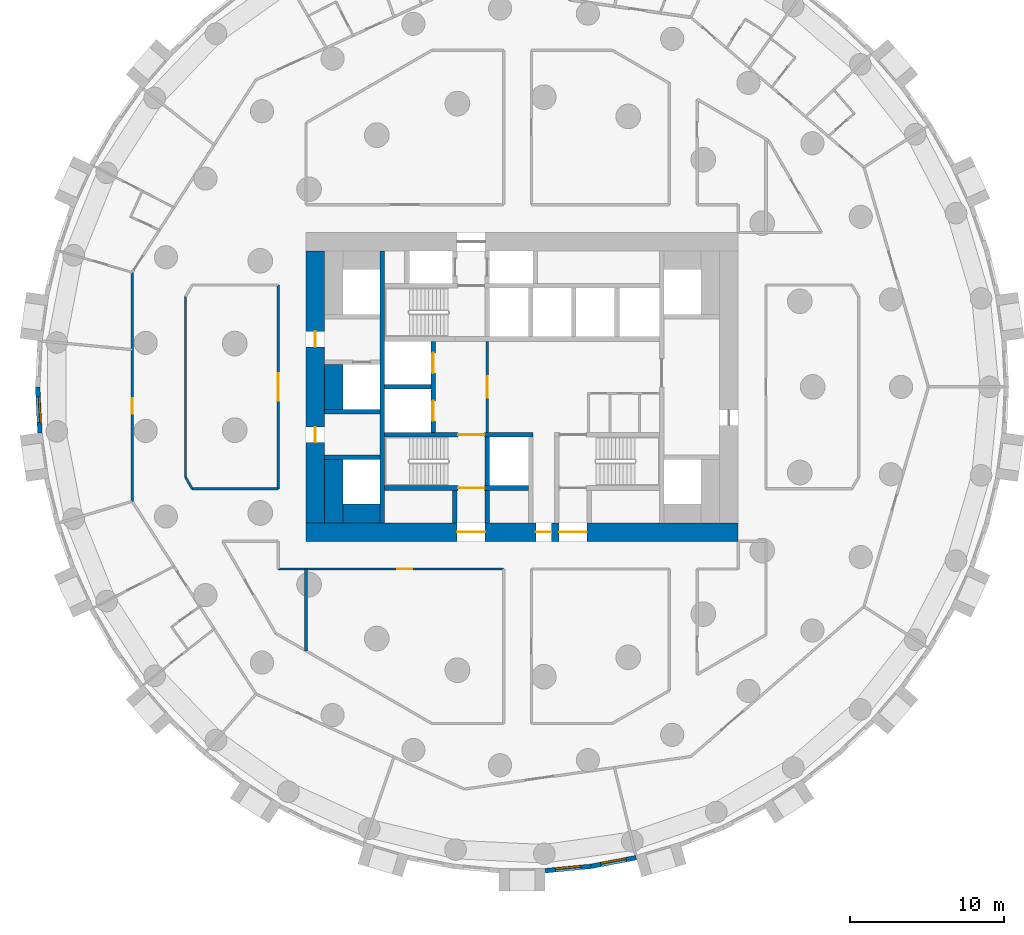
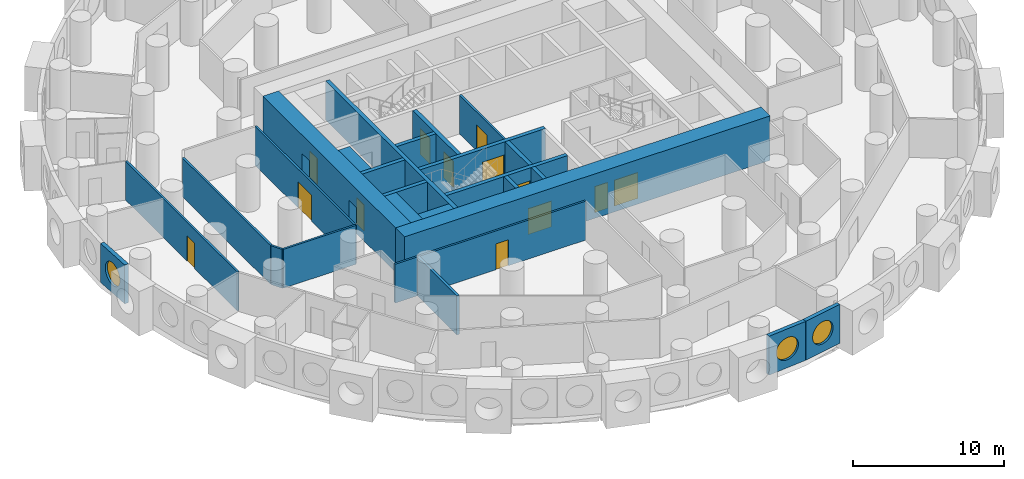
# One storey, part 4 of 12: 26 walls, 13 doors, 3 windows, 16 openings.
"""IFC4 building model written with IfcOpenShell, lengths in metres."""

import ifcopenshell
import ifcopenshell.guid

model = None  # the IFC model being written
_history = None  # IfcOwnerHistory: only IFC2X3 demands one
_inside = {}  # id of a spatial element -> (the spatial element, [elements in it])
_under = {}  # id of a project, library or spatial element -> (it, [spatial elements below it])
_declared = {}  # id of a project -> (the project, [libraries it declares])
_typed = {}  # id of a type object -> (the type object, [elements of that type])
_made_of = {}  # id of a material, layer set ... -> (it, [elements and type objects made of it])


def new_model(schema):
    """Start an empty IFC model of exactly this schema.

    Asked for "IFC4X3", IfcOpenShell would pick the latest addendum, in which some entities
    have other attributes; the version numbers below select the first issue.
    IFC2X3 requires an IfcOwnerHistory on every rooted entity: one is made here for all.
    """
    global model, _history
    if schema == "IFC4X3":
        model = ifcopenshell.file(schema_version=(4, 3, 0, 0))
    else:
        model = ifcopenshell.file(schema=schema)
    _inside.clear()
    _under.clear()
    _declared.clear()
    _typed.clear()
    _made_of.clear()
    _history = None
    if model.schema == "IFC2X3":
        org = make("IfcOrganization", Name="unknown")
        user = make(
            "IfcPersonAndOrganization",
            ThePerson=make("IfcPerson", FamilyName="unknown"),
            TheOrganization=org,
        )
        app = make(
            "IfcApplication",
            ApplicationDeveloper=org,
            Version="unknown",
            ApplicationFullName="unknown",
            ApplicationIdentifier="unknown",
        )
        _history = make(
            "IfcOwnerHistory",
            OwningUser=user,
            OwningApplication=app,
            ChangeAction="ADDED",
            CreationDate=0,
        )
    return model


def make(cls, **values):
    """One entity of the class cls with the attributes given. An attribute that is None is left unset."""
    return model.create_entity(
        cls, **{name: value for name, value in values.items() if value is not None}
    )


def rooted(cls, **values):
    """An entity with a GlobalId (a new one), such as an element, a storey or a relation."""
    return make(cls, GlobalId=ifcopenshell.guid.new(), OwnerHistory=_history, **values)


def si_unit(unit_type, name, prefix=None):
    """IfcSIUnit, for example si_unit("LENGTHUNIT", "METRE", prefix="MILLI")."""
    return make("IfcSIUnit", UnitType=unit_type, Prefix=prefix, Name=name)


def assignment(units):
    """IfcUnitAssignment: the units of a project."""
    return None if units is None else make("IfcUnitAssignment", Units=units)


def point(xyz):
    """IfcCartesianPoint."""
    return None if xyz is None else make("IfcCartesianPoint", Coordinates=xyz)


def direction(xyz):
    """IfcDirection."""
    return None if xyz is None else make("IfcDirection", DirectionRatios=xyz)


def frame(location, z_axis=None, x_axis=None):
    """IfcAxis2Placement3D, a coordinate frame: its origin and axes. An axis left out is left unset."""
    return make(
        "IfcAxis2Placement3D",
        Location=point(location),
        Axis=direction(z_axis),
        RefDirection=direction(x_axis),
    )


def frame_2d(location, x_axis=None):
    """IfcAxis2Placement2D, a coordinate frame in the plane: its origin and x axis."""
    return make(
        "IfcAxis2Placement2D", Location=point(location), RefDirection=direction(x_axis)
    )


def origin():
    """The frame at (0, 0, 0) with its axes left unset."""
    return frame((0.0, 0.0, 0.0))


def origin_2d():
    """The frame at (0, 0) in the plane with its x axis left unset."""
    return frame_2d((0.0, 0.0))


def place(relative_to, where):
    """IfcLocalPlacement: puts the frame where relative to a parent placement (None: the world)."""
    return make(
        "IfcLocalPlacement", PlacementRelTo=relative_to, RelativePlacement=where
    )


def context(
    kind, dimensions, precision=None, world=None, true_north=None, identifier=None
):
    """IfcGeometricRepresentationContext, for example the 3D "Model" context."""
    return make(
        "IfcGeometricRepresentationContext",
        ContextIdentifier=identifier,
        ContextType=kind,
        CoordinateSpaceDimension=dimensions,
        Precision=precision,
        WorldCoordinateSystem=world,
        TrueNorth=true_north,
    )


def subcontext(parent, identifier, kind, view, scale=None):
    """IfcGeometricRepresentationSubContext, for example "Body" below "Model"."""
    return make(
        "IfcGeometricRepresentationSubContext",
        ContextIdentifier=identifier,
        ContextType=kind,
        ParentContext=parent,
        TargetScale=scale,
        TargetView=view,
    )


def project(units=None, contexts=None):
    """IfcProject with its units and contexts."""
    return rooted(
        "IfcProject",
        Name="project",
        RepresentationContexts=contexts,
        UnitsInContext=assignment(units),
    )


def spatial(cls, under=None, at=None, **own):
    """A site, building, storey or space (cls), placed at a placement, below another one or the project."""
    s = rooted(cls, ObjectPlacement=at, **own)
    if under is not None:
        _under.setdefault(under.id(), (under, []))[1].append(s)
    return s


def profile(cls, at=None, kind="AREA", **sizes):
    """A parametric profile (cls). Its sizes go by their IFC names, for example OverallWidth=200.0."""
    return make(cls, ProfileType=kind, Position=at, **sizes)


def rectangle(**sizes):
    """IfcRectangleProfileDef."""
    return profile("IfcRectangleProfileDef", **sizes)


def circle(**sizes):
    """IfcCircleProfileDef."""
    return profile("IfcCircleProfileDef", **sizes)


def extrude(swept, where, along, depth):
    """IfcExtrudedAreaSolid: the profile swept, set in the frame where, extruded along a direction by depth."""
    return make(
        "IfcExtrudedAreaSolid",
        SweptArea=swept,
        Position=where,
        ExtrudedDirection=direction(along),
        Depth=depth,
    )


def shape(context_of_items, identifier, shape_type, items):
    """IfcShapeRepresentation: the items that make up one representation, for example the "Body"."""
    return make(
        "IfcShapeRepresentation",
        ContextOfItems=context_of_items,
        RepresentationIdentifier=identifier,
        RepresentationType=shape_type,
        Items=items,
    )


def material(Name=None, Category=None):
    """IfcMaterial."""
    return make("IfcMaterial", Name=Name, Category=Category)


def layer(
    of_material, thickness, ventilated=None, Name=None, Category=None, Priority=None
):
    """IfcMaterialLayer: one layer of a wall or slab, of a material (None: an air gap)."""
    return make(
        "IfcMaterialLayer",
        Material=of_material,
        LayerThickness=thickness,
        IsVentilated=ventilated,
        Name=Name,
        Category=Category,
        Priority=Priority,
    )


def layer_set(layers, Name=None):
    """IfcMaterialLayerSet."""
    return make("IfcMaterialLayerSet", MaterialLayers=layers, LayerSetName=Name)


def made_of(thing, what):
    """Note that an element or type object is made of a material, layer set ...; save() writes the relation."""
    if what is not None:
        _made_of.setdefault(what.id(), (what, []))[1].append(thing)
    return thing


def type_object(cls, material=None, **own):
    """A type object (cls), such as IfcWallType, which elements share."""
    return made_of(rooted(cls, **own), material)


def element(
    cls,
    number,
    at=None,
    inside=None,
    cuts=None,
    type_object=None,
    material=None,
    context=None,
    identifier="Body",
    shape_type=None,
    held_by="IfcProductDefinitionShape",
    body=None,
    shapes=None,
    **own,
):
    """One element of the class cls, such as IfcWall. Its Tag is "e" and its number.

    at: its placement. inside: the storey or other place that contains it. cuts: it is an
    opening in that element (IfcRelVoidsElement). A single representation is given by context,
    identifier, shape_type and body (its items); several are given by shapes. held_by: the class
    of the entity that holds the representations. save() writes the other relations.
    """
    e = rooted(cls, Tag="e%d" % number, ObjectPlacement=at, **own)
    if body is not None:
        shapes = [shape(context, identifier, shape_type, body)]
    if shapes is not None:
        e.Representation = make(held_by, Representations=shapes)
    if inside is not None:
        _inside.setdefault(inside.id(), (inside, []))[1].append(e)
    if cuts is not None:
        rooted(
            "IfcRelVoidsElement", RelatingBuildingElement=cuts, RelatedOpeningElement=e
        )
    if type_object is not None:
        _typed.setdefault(type_object.id(), (type_object, []))[1].append(e)
    return made_of(e, material)


def fill(opening, filler):
    """IfcRelFillsElement: the door or window that sits in an opening."""
    return rooted(
        "IfcRelFillsElement",
        RelatingOpeningElement=opening,
        RelatedBuildingElement=filler,
    )


def aggregate(whole, parts):
    """IfcRelAggregates: a whole, such as a stair, and the parts it consists of."""
    return rooted("IfcRelAggregates", RelatingObject=whole, RelatedObjects=parts)


def save(model, path):
    """Write the relations noted so far, then the file.

    IfcRelAggregates (storeys below a building ...), IfcRelContainedInSpatialStructure (elements
    in a storey), IfcRelDefinesByType, IfcRelAssociatesMaterial and IfcRelDeclares: one each for
    every whole, place, type object, material and project.
    """
    for whole, parts in _under.values():
        aggregate(whole, parts)
    for where, things in _inside.values():
        rooted(
            "IfcRelContainedInSpatialStructure",
            RelatedElements=things,
            RelatingStructure=where,
        )
    for kind, things in _typed.values():
        rooted("IfcRelDefinesByType", RelatedObjects=things, RelatingType=kind)
    for what, things in _made_of.values():
        rooted("IfcRelAssociatesMaterial", RelatedObjects=things, RelatingMaterial=what)
    for by, libraries in _declared.values():
        rooted("IfcRelDeclares", RelatingContext=by, RelatedDefinitions=libraries)
    model.write(path)


model = new_model("IFC4")

# Units and contexts
model_context = context("Model", 3, precision=1e-05, world=origin(), true_north=direction((0.0, 1.0)))
body_context = subcontext(model_context, "Body", "Model", "MODEL_VIEW")
ifc_project = project(units=[si_unit("LENGTHUNIT", "METRE"), si_unit("AREAUNIT", "SQUARE_METRE"), si_unit("VOLUMEUNIT", "CUBIC_METRE"), si_unit("PLANEANGLEUNIT", "RADIAN"), si_unit("MASSUNIT", "GRAM", prefix="KILO")], contexts=[model_context])

# Site, building, storey
site_placement = place(None, origin())
site = spatial("IfcSite", under=ifc_project, at=site_placement, CompositionType="ELEMENT")
building_placement = place(site_placement, origin())
building = spatial("IfcBuilding", under=site, at=building_placement, Name="Tracery Tower", CompositionType="ELEMENT")
storey_placement = place(building_placement, frame((0.0, 0.0, 49.800048828125)))
storey = spatial("IfcBuildingStorey", under=building, at=storey_placement, Name="L11", CompositionType="ELEMENT", Elevation=49.800048828125)

# Wall, opening, door
ifc_material_1 = material(Name="Plasterboard on steel studs", Category="steel")
ifc_layer_1 = layer(ifc_material_1, 0.14990234375)
ifc_layer_set_1 = layer_set([ifc_layer_1], Name="Core lobby partition 150")
wall_type_1 = type_object("IfcWallType", Name="Core lobby partition 150", PredefinedType="SOLIDWALL", material=ifc_layer_set_1)
wall_1_placement = place(storey_placement, frame((-2.25, -2.949951171875, 0.0), z_axis=(0.0, 0.0, 1.0), x_axis=(0.0, 1.0, 0.0)))
wall_1 = element("IfcWall", 1, at=wall_1_placement, inside=storey, type_object=wall_type_1, Name="L11 FF lobby E", PredefinedType="SOLIDWALL", context=body_context, shape_type="SweptSolid", body=[
    extrude(rectangle(XDim=5.89990234375, YDim=0.14990234375, at=frame_2d((2.949951171875, 0.0))), origin(), (0.0, 0.0, 1.0), 3.14990234375),
])
opening_1_placement = place(wall_1_placement, frame((2.25, 0.0, 0.0)))
opening_1 = element("IfcOpeningElement", 2, at=opening_1_placement, cuts=wall_1, Name="Opening KD8", PredefinedType="OPENING", context=body_context, shape_type="SweptSolid", body=[
    extrude(rectangle(XDim=1.39990234375, YDim=2.10009765625, at=frame_2d((0.699951171875, 1.050048828125))), frame((0.0, 0.074951171875, 0.0), z_axis=(0.0, -1.0, 0.0), x_axis=(1.0, 0.0, 0.0)), (0.0, 0.0, 1.0), 0.14990234375),
])
ifc_material_2 = material(Name="Steel fire door", Category="steel")
door_type_1 = type_object("IfcDoorType", Name="Core lobby door 1400 double", OperationType="NOTDEFINED", PredefinedType="DOOR", material=ifc_material_2)
door_1_placement = place(opening_1_placement, origin())
door_1 = element("IfcDoor", 3, at=door_1_placement, inside=storey, type_object=door_type_1, Name="Fire-fighting lobby door", OperationType="DOUBLE_DOOR_SINGLE_SWING", OverallHeight=2.10009765625, OverallWidth=1.39990234375, PredefinedType="DOOR", context=body_context, shape_type="SweptSolid", body=[
    extrude(rectangle(XDim=1.39990234375, YDim=2.10009765625, at=frame_2d((0.699951171875, 1.050048828125))), frame((0.0, 0.02490234375, 0.0), z_axis=(0.0, -1.0, 0.0), x_axis=(1.0, 0.0, 0.0)), (0.0, 0.0, 1.0), 0.050048828125),
])
fill(opening_1, door_1)

# Walls
ifc_material_3 = material(Name="Concrete C60/75", Category="concrete")
ifc_layer_2 = layer(ifc_material_3, 1.199951171875)
ifc_layer_set_2 = layer_set([ifc_layer_2], Name="Core strip wall 1200 C60")
wall_type_2 = type_object("IfcWallType", Name="Core strip wall 1200 C60", PredefinedType="SOLIDWALL", material=ifc_layer_set_2)
wall_2_placement = place(storey_placement, frame((-12.199951171875, -8.800048828125, 0.0), z_axis=(0.0, 0.0, 1.0), x_axis=(0.0, 1.0, 0.0)))
element("IfcWall", 4, at=wall_2_placement, inside=storey, type_object=wall_type_2, Name="L11 wing strip -1 -9.4", PredefinedType="SOLIDWALL", context=body_context, shape_type="SweptSolid", body=[
    extrude(rectangle(XDim=4.10009765625, YDim=1.199951171875, at=frame_2d((2.050048828125, 0.0))), origin(), (0.0, 0.0, 1.0), 3.14990234375),
])
wall_3_placement = place(storey_placement, frame((-12.199951171875, -1.449951171875, 0.0), z_axis=(0.0, 0.0, 1.0), x_axis=(0.0, 1.0, 0.0)))
element("IfcWall", 5, at=wall_3_placement, inside=storey, type_object=wall_type_2, Name="L11 wing strip -1 -1.6", PredefinedType="SOLIDWALL", context=body_context, shape_type="SweptSolid", body=[
    extrude(rectangle(XDim=2.89990234375, YDim=1.199951171875, at=frame_2d((1.449951171875, 0.0))), origin(), (0.0, 0.0, 1.0), 3.14990234375),
])
wall_4_placement = place(storey_placement, frame((-11.60009765625, -8.199951171875, 0.0), z_axis=(0.0, 0.0, 1.0), x_axis=(1.0, 0.0, 0.0)))
element("IfcWall", 6, at=wall_4_placement, inside=storey, type_object=wall_type_2, Name="L11 wing corner -1 -8.2", PredefinedType="SOLIDWALL", context=body_context, shape_type="SweptSolid", body=[
    extrude(rectangle(XDim=2.400146484375, YDim=1.199951171875, at=frame_2d((1.2001953125, 0.0))), origin(), (0.0, 0.0, 1.0), 3.14990234375),
])

# Wall, openings, doors
ifc_material_4 = material(Name="Concrete C60/75", Category="concrete")
ifc_layer_3 = layer(ifc_material_4, 1.199951171875)
ifc_layer_set_3 = layer_set([ifc_layer_3], Name="Core wall 1200 C60")
wall_type_3 = type_object("IfcWallType", Name="Core wall 1200 C60", PredefinedType="SOLIDWALL", material=ifc_layer_set_3)
wall_5_placement = place(storey_placement, frame((-14.0, -9.39990234375, 0.0), z_axis=(0.0, 0.0, 1.0), x_axis=(1.0, 0.0, 0.0)))
wall_5 = element("IfcWall", 7, at=wall_5_placement, inside=storey, type_object=wall_type_3, Name="L11 outer S", PredefinedType="SOLIDWALL", context=body_context, shape_type="SweptSolid", body=[
    extrude(rectangle(XDim=28.0, YDim=1.199951171875, at=frame_2d((14.0, 0.0))), origin(), (0.0, 0.0, 1.0), 3.599853515625),
])
opening_2_placement = place(wall_5_placement, frame((14.89990234375, 0.0, 0.0)))
opening_2 = element("IfcOpeningElement", 8, at=opening_2_placement, cuts=wall_5, Name="Opening KD16", PredefinedType="OPENING", context=body_context, shape_type="SweptSolid", body=[
    extrude(rectangle(XDim=1.0, YDim=2.10009765625, at=frame_2d((0.5, 1.050048828125))), frame((0.0, 0.60009765625, 0.0), z_axis=(0.0, -1.0, 0.0), x_axis=(1.0, 0.0, 0.0)), (0.0, 0.0, 1.0), 1.199951171875),
])
opening_3_placement = place(wall_5_placement, frame((9.800048828125, 0.0, 0.0)))
opening_3 = element("IfcOpeningElement", 9, at=opening_3_placement, cuts=wall_5, Name="Opening KD13", PredefinedType="OPENING", context=body_context, shape_type="SweptSolid", body=[
    extrude(rectangle(XDim=1.800048828125, YDim=2.10009765625, at=frame_2d((0.89990234375, 1.050048828125))), frame((0.0, 0.60009765625, 0.0), z_axis=(0.0, -1.0, 0.0), x_axis=(1.0, 0.0, 0.0)), (0.0, 0.0, 1.0), 1.199951171875),
])
opening_4_placement = place(wall_5_placement, frame((16.39990234375, 0.0, 0.0)))
opening_4 = element("IfcOpeningElement", 10, at=opening_4_placement, cuts=wall_5, Name="Opening KD13", PredefinedType="OPENING", context=body_context, shape_type="SweptSolid", body=[
    extrude(rectangle(XDim=1.800048828125, YDim=2.10009765625, at=frame_2d((0.89990234375, 1.050048828125))), frame((0.0, 0.60009765625, 0.0), z_axis=(0.0, -1.0, 0.0), x_axis=(1.0, 0.0, 0.0)), (0.0, 0.0, 1.0), 1.199951171875),
])
ifc_material_5 = material(Name="Steel fire door", Category="steel")
door_type_2 = type_object("IfcDoorType", Name="Core exit door 1000", OperationType="NOTDEFINED", PredefinedType="DOOR", material=ifc_material_5)
door_2_placement = place(opening_2_placement, origin())
door_2 = element("IfcDoor", 11, at=door_2_placement, inside=storey, type_object=door_type_2, Name="Core exit door", OperationType="SINGLE_SWING_LEFT", OverallHeight=2.10009765625, OverallWidth=1.0, PredefinedType="DOOR", context=body_context, shape_type="SweptSolid", body=[
    extrude(rectangle(XDim=1.0, YDim=2.10009765625, at=frame_2d((0.5, 1.050048828125))), frame((0.0, 0.02490234375, 0.0), z_axis=(0.0, -1.0, 0.0), x_axis=(1.0, 0.0, 0.0)), (0.0, 0.0, 1.0), 0.050048828125),
])
fill(opening_2, door_2)
ifc_material_6 = material(Name="Steel fire door", Category="steel")
door_type_3 = type_object("IfcDoorType", Name="Core exit door 1800 double", OperationType="NOTDEFINED", PredefinedType="DOOR", material=ifc_material_6)
door_3_placement = place(opening_3_placement, origin())
door_3 = element("IfcDoor", 12, at=door_3_placement, inside=storey, type_object=door_type_3, Name="Core exit door", OperationType="DOUBLE_DOOR_SINGLE_SWING", OverallHeight=2.10009765625, OverallWidth=1.800048828125, PredefinedType="DOOR", context=body_context, shape_type="SweptSolid", body=[
    extrude(rectangle(XDim=1.800048828125, YDim=2.10009765625, at=frame_2d((0.89990234375, 1.050048828125))), frame((0.0, 0.02490234375, 0.0), z_axis=(0.0, -1.0, 0.0), x_axis=(1.0, 0.0, 0.0)), (0.0, 0.0, 1.0), 0.050048828125),
])
fill(opening_3, door_3)
door_4_placement = place(opening_4_placement, origin())
door_4 = element("IfcDoor", 13, at=door_4_placement, inside=storey, type_object=door_type_3, Name="Core exit door", OperationType="DOUBLE_DOOR_SINGLE_SWING", OverallHeight=2.10009765625, OverallWidth=1.800048828125, PredefinedType="DOOR", context=body_context, shape_type="SweptSolid", body=[
    extrude(rectangle(XDim=1.800048828125, YDim=2.10009765625, at=frame_2d((0.89990234375, 1.050048828125))), frame((0.0, 0.02490234375, 0.0), z_axis=(0.0, -1.0, 0.0), x_axis=(1.0, 0.0, 0.0)), (0.0, 0.0, 1.0), 0.050048828125),
])
fill(opening_4, door_4)

wall_6_placement = place(storey_placement, frame((-13.39990234375, -8.800048828125, 0.0), z_axis=(0.0, 0.0, 1.0), x_axis=(0.0, 1.0, 0.0)))
wall_6 = element("IfcWall", 14, at=wall_6_placement, inside=storey, type_object=wall_type_3, Name="L11 outer W", PredefinedType="SOLIDWALL", context=body_context, shape_type="SweptSolid", body=[
    extrude(rectangle(XDim=17.60009765625, YDim=1.199951171875, at=frame_2d((8.800048828125, 0.0))), origin(), (0.0, 0.0, 1.0), 3.599853515625),
])
opening_5_placement = place(wall_6_placement, frame((5.199951171875, 0.0, 0.0)))
opening_5 = element("IfcOpeningElement", 15, at=opening_5_placement, cuts=wall_6, Name="Opening KD18", PredefinedType="OPENING", context=body_context, shape_type="SweptSolid", body=[
    extrude(rectangle(XDim=1.0, YDim=2.10009765625, at=frame_2d((0.5, 1.050048828125))), frame((0.0, 0.60009765625, 0.0), z_axis=(0.0, -1.0, 0.0), x_axis=(1.0, 0.0, 0.0)), (0.0, 0.0, 1.0), 1.199951171875),
])
opening_6_placement = place(wall_6_placement, frame((11.39990234375, 0.0, 0.0)))
opening_6 = element("IfcOpeningElement", 16, at=opening_6_placement, cuts=wall_6, Name="Opening KD18", PredefinedType="OPENING", context=body_context, shape_type="SweptSolid", body=[
    extrude(rectangle(XDim=1.0, YDim=2.10009765625, at=frame_2d((0.5, 1.050048828125))), frame((0.0, 0.60009765625, 0.0), z_axis=(0.0, -1.0, 0.0), x_axis=(1.0, 0.0, 0.0)), (0.0, 0.0, 1.0), 1.199951171875),
])
door_5_placement = place(opening_5_placement, origin())
door_5 = element("IfcDoor", 17, at=door_5_placement, inside=storey, type_object=door_type_2, Name="Core exit door", OperationType="DOUBLE_DOOR_SINGLE_SWING", OverallHeight=2.10009765625, OverallWidth=1.0, PredefinedType="DOOR", context=body_context, shape_type="SweptSolid", body=[
    extrude(rectangle(XDim=1.0, YDim=2.10009765625, at=frame_2d((0.5, 1.050048828125))), frame((0.0, 0.02490234375, 0.0), z_axis=(0.0, -1.0, 0.0), x_axis=(1.0, 0.0, 0.0)), (0.0, 0.0, 1.0), 0.050048828125),
])
fill(opening_5, door_5)
door_6_placement = place(opening_6_placement, origin())
door_6 = element("IfcDoor", 18, at=door_6_placement, inside=storey, type_object=door_type_2, Name="Core exit door", OperationType="DOUBLE_DOOR_SINGLE_SWING", OverallHeight=2.10009765625, OverallWidth=1.0, PredefinedType="DOOR", context=body_context, shape_type="SweptSolid", body=[
    extrude(rectangle(XDim=1.0, YDim=2.10009765625, at=frame_2d((0.5, 1.050048828125))), frame((0.0, 0.02490234375, 0.0), z_axis=(0.0, -1.0, 0.0), x_axis=(1.0, 0.0, 0.0)), (0.0, 0.0, 1.0), 0.050048828125),
])
fill(opening_6, door_6)

# Wall, opening, window
ifc_material_7 = material(Name="Precast concrete C50/60", Category="concrete")
ifc_layer_4 = layer(ifc_material_7, 0.300048828125)
ifc_layer_set_4 = layer_set([ifc_layer_4], Name="Facade panel 3000 x 3150")
wall_type_4 = type_object("IfcWallType", Name="Facade panel 3000 x 3150", PredefinedType="SOLIDWALL", material=ifc_layer_set_4)
wall_7_placement = place(storey_placement, frame((-31.37451171875, 0.0, 0.0), z_axis=(0.0, 0.0, 1.0), x_axis=(0.047604077644, -0.998866283239, 0.0)))
wall_7 = element("IfcWall", 19, at=wall_7_placement, inside=storey, type_object=wall_type_4, Name="Facade panel 34 at L11", PredefinedType="SOLIDWALL", context=body_context, shape_type="SweptSolid", body=[
    extrude(rectangle(XDim=2.979736328125, YDim=0.300048828125, at=frame_2d((1.48974609375, 0.0))), origin(), (0.0, 0.0, 1.0), 3.14990234375),
])
opening_7_placement = place(wall_7_placement, frame((1.48974609375, 0.0, 1.5498046875)))
opening_7 = element("IfcOpeningElement", 20, at=opening_7_placement, cuts=wall_7, Name="Opening WN1", PredefinedType="OPENING", context=body_context, shape_type="SweptSolid", body=[
    extrude(circle(Radius=0.9000244140625, at=origin_2d()), frame((0.0, 0.159912109375, 0.0), z_axis=(0.0, -1.0, 0.0), x_axis=(1.0, 0.0, 0.0)), (0.0, 0.0, 1.0), 0.320068359375),
])
ifc_material_8 = material(Name="Aluminium frame with tinted double glazing", Category="aluminium")
window_type = type_object("IfcWindowType", Name="Round window 1800", PartitioningType="SINGLE_PANEL", PredefinedType="WINDOW", material=ifc_material_8)
window_1_placement = place(opening_7_placement, origin())
window_1 = element("IfcWindow", 21, at=window_1_placement, inside=storey, type_object=window_type, Name="Round window 34 at L11", OverallHeight=1.800048828125, OverallWidth=1.800048828125, PartitioningType="SINGLE_PANEL", PredefinedType="WINDOW", context=body_context, shape_type="SweptSolid", body=[
    extrude(circle(Radius=0.9000244140625, at=origin_2d()), frame((0.0, 0.1201171875, 0.0), z_axis=(0.0, -1.0, 0.0), x_axis=(1.0, 0.0, 0.0)), (0.0, 0.0, 1.0), 0.10009765625),
])
fill(opening_7, window_1)

wall_8_placement = place(storey_placement, frame((1.498779296875, -31.33837890625, 0.0), z_axis=(0.0, 0.0, 1.0), x_axis=(0.995473351551, 0.095041077185, 0.0)))
wall_8 = element("IfcWall", 22, at=wall_8_placement, inside=storey, type_object=wall_type_4, Name="Facade panel 51 at L11", PredefinedType="SOLIDWALL", context=body_context, shape_type="SweptSolid", body=[
    extrude(rectangle(XDim=2.979736328125, YDim=0.300048828125, at=frame_2d((1.48974609375, 0.0))), origin(), (0.0, 0.0, 1.0), 3.14990234375),
])
opening_8_placement = place(wall_8_placement, frame((1.48974609375, 0.0, 1.5498046875)))
opening_8 = element("IfcOpeningElement", 23, at=opening_8_placement, cuts=wall_8, Name="Opening WN1", PredefinedType="OPENING", context=body_context, shape_type="SweptSolid", body=[
    extrude(circle(Radius=0.9000244140625, at=origin_2d()), frame((0.0, 0.159912109375, 0.0), z_axis=(0.0, -1.0, 0.0), x_axis=(1.0, 0.0, 0.0)), (0.0, 0.0, 1.0), 0.320068359375),
])
window_2_placement = place(opening_8_placement, origin())
window_2 = element("IfcWindow", 24, at=window_2_placement, inside=storey, type_object=window_type, Name="Round window 51 at L11", OverallHeight=1.800048828125, OverallWidth=1.800048828125, PartitioningType="SINGLE_PANEL", PredefinedType="WINDOW", context=body_context, shape_type="SweptSolid", body=[
    extrude(circle(Radius=0.9000244140625, at=origin_2d()), frame((0.0, 0.1201171875, 0.0), z_axis=(0.0, -1.0, 0.0), x_axis=(1.0, 0.0, 0.0)), (0.0, 0.0, 1.0), 0.10009765625),
])
fill(opening_8, window_2)

wall_9_placement = place(storey_placement, frame((4.465087890625, -31.05517578125, 0.0), z_axis=(0.0, 0.0, 1.0), x_axis=(0.981924535406, 0.189272836848, 0.0)))
wall_9 = element("IfcWall", 25, at=wall_9_placement, inside=storey, type_object=wall_type_4, Name="Facade panel 52 at L11", PredefinedType="SOLIDWALL", context=body_context, shape_type="SweptSolid", body=[
    extrude(rectangle(XDim=2.979736328125, YDim=0.300048828125, at=frame_2d((1.48974609375, 0.0))), origin(), (0.0, 0.0, 1.0), 3.14990234375),
])
opening_9_placement = place(wall_9_placement, frame((1.48974609375, 0.0, 1.5498046875)))
opening_9 = element("IfcOpeningElement", 26, at=opening_9_placement, cuts=wall_9, Name="Opening WN1", PredefinedType="OPENING", context=body_context, shape_type="SweptSolid", body=[
    extrude(circle(Radius=0.9000244140625, at=origin_2d()), frame((0.0, 0.159912109375, 0.0), z_axis=(0.0, -1.0, 0.0), x_axis=(1.0, 0.0, 0.0)), (0.0, 0.0, 1.0), 0.320068359375),
])
window_3_placement = place(opening_9_placement, origin())
window_3 = element("IfcWindow", 27, at=window_3_placement, inside=storey, type_object=window_type, Name="Round window 52 at L11", OverallHeight=1.800048828125, OverallWidth=1.800048828125, PartitioningType="SINGLE_PANEL", PredefinedType="WINDOW", context=body_context, shape_type="SweptSolid", body=[
    extrude(circle(Radius=0.9000244140625, at=origin_2d()), frame((0.0, 0.1201171875, 0.0), z_axis=(0.0, -1.0, 0.0), x_axis=(1.0, 0.0, 0.0)), (0.0, 0.0, 1.0), 0.10009765625),
])
fill(opening_9, window_3)

# Wall, opening, door
ifc_material_9 = material(Name="Plasterboard on steel studs", Category="steel")
ifc_layer_5 = layer(ifc_material_9, 0.14990234375)
ifc_layer_set_5 = layer_set([ifc_layer_5], Name="Partition 150 corridor wall")
wall_type_5 = type_object("IfcWallType", Name="Partition 150 corridor wall", PredefinedType="PARTITIONING", material=ifc_layer_set_5)
wall_10_placement = place(storey_placement, frame((-15.800048828125, -11.800048828125, 0.0), z_axis=(0.0, 0.0, 1.0), x_axis=(1.0, 0.0, 0.0)))
wall_10 = element("IfcWall", 28, at=wall_10_placement, inside=storey, type_object=wall_type_5, Name="Corridor wall RA3-005", PredefinedType="PARTITIONING", context=body_context, shape_type="SweptSolid", body=[
    extrude(rectangle(XDim=14.612060546875, YDim=0.14990234375, at=frame_2d((7.30615234375, 0.0))), origin(), (0.0, 0.0, 1.0), 3.14990234375),
])
opening_10_placement = place(wall_10_placement, frame((7.72900390625, 0.0, 0.0)))
opening_10 = element("IfcOpeningElement", 29, at=opening_10_placement, cuts=wall_10, Name="Opening RA3-04", PredefinedType="OPENING", context=body_context, shape_type="SweptSolid", body=[
    extrude(rectangle(XDim=0.949951171875, YDim=2.10009765625, at=frame_2d((0.47509765625, 1.050048828125))), frame((0.0, 0.074951171875, 0.0), z_axis=(0.0, -1.0, 0.0), x_axis=(1.0, 0.0, 0.0)), (0.0, 0.0, 1.0), 0.14990234375),
])
ifc_material_10 = material(Name="Timber door leaf", Category="wood")
door_type_4 = type_object("IfcDoorType", Name="Door store 950", OperationType="NOTDEFINED", PredefinedType="DOOR", material=ifc_material_10)
door_7_placement = place(opening_10_placement, origin())
door_7 = element("IfcDoor", 30, at=door_7_placement, inside=storey, type_object=door_type_4, Name="Store door RA3-04", OperationType="SINGLE_SWING_RIGHT", OverallHeight=2.10009765625, OverallWidth=0.949951171875, PredefinedType="DOOR", context=body_context, shape_type="SweptSolid", body=[
    extrude(rectangle(XDim=0.949951171875, YDim=2.10009765625, at=frame_2d((0.47509765625, 1.050048828125))), frame((0.0, 0.02490234375, 0.0), z_axis=(0.0, -1.0, 0.0), x_axis=(1.0, 0.0, 0.0)), (0.0, 0.0, 1.0), 0.050048828125),
])
fill(opening_10, door_7)

wall_11_placement = place(storey_placement, frame((-15.800048828125, -6.60400390625, 0.0), z_axis=(0.0, 0.0, 1.0), x_axis=(0.0, 1.0, 0.0)))
wall_11 = element("IfcWall", 31, at=wall_11_placement, inside=storey, type_object=wall_type_5, Name="Corridor wall RA3-013", PredefinedType="PARTITIONING", context=body_context, shape_type="SweptSolid", body=[
    extrude(rectangle(XDim=13.2080078125, YDim=0.14990234375, at=frame_2d((6.60400390625, 0.0))), origin(), (0.0, 0.0, 1.0), 3.14990234375),
])
opening_11_placement = place(wall_11_placement, frame((5.7041015625, 0.0, 0.0)))
opening_11 = element("IfcOpeningElement", 32, at=opening_11_placement, cuts=wall_11, Name="Opening RA3-08", PredefinedType="OPENING", context=body_context, shape_type="SweptSolid", body=[
    extrude(rectangle(XDim=1.800048828125, YDim=2.10009765625, at=frame_2d((0.89990234375, 1.050048828125))), frame((0.0, 0.074951171875, 0.0), z_axis=(0.0, -1.0, 0.0), x_axis=(1.0, 0.0, 0.0)), (0.0, 0.0, 1.0), 0.14990234375),
])
ifc_material_11 = material(Name="Timber door leaf", Category="wood")
door_type_5 = type_object("IfcDoorType", Name="Door double lounge 1800", OperationType="NOTDEFINED", PredefinedType="DOOR", material=ifc_material_11)
door_8_placement = place(opening_11_placement, origin())
door_8 = element("IfcDoor", 33, at=door_8_placement, inside=storey, type_object=door_type_5, Name="Double lounge door RA3-08", OperationType="DOUBLE_DOOR_SINGLE_SWING", OverallHeight=2.10009765625, OverallWidth=1.800048828125, PredefinedType="DOOR", context=body_context, shape_type="SweptSolid", body=[
    extrude(rectangle(XDim=1.800048828125, YDim=2.10009765625, at=frame_2d((0.89990234375, 1.050048828125))), frame((0.0, 0.02490234375, 0.0), z_axis=(0.0, -1.0, 0.0), x_axis=(1.0, 0.0, 0.0)), (0.0, 0.0, 1.0), 0.050048828125),
])
fill(opening_11, door_8)

# Walls
wall_12_placement = place(storey_placement, frame((-21.802001953125, -5.842041015625, 0.0), z_axis=(0.0, 0.0, 1.0), x_axis=(0.0, 1.0, 0.0)))
element("IfcWall", 34, at=wall_12_placement, inside=storey, type_object=wall_type_5, Name="Corridor wall RA3-040", PredefinedType="PARTITIONING", context=body_context, shape_type="SweptSolid", body=[
    extrude(rectangle(XDim=11.68408203125, YDim=0.14990234375, at=frame_2d((5.842041015625, 0.0))), origin(), (0.0, 0.0, 1.0), 3.14990234375),
])
wall_13_placement = place(storey_placement, frame((-21.802001953125, -5.842041015625, 0.0), z_axis=(0.0, 0.0, 1.0), x_axis=(0.500277597875, -0.865865073245, 0.0)))
element("IfcWall", 35, at=wall_13_placement, inside=storey, type_object=wall_type_5, Name="Corridor wall RA3-041", PredefinedType="PARTITIONING", context=body_context, shape_type="SweptSolid", body=[
    extrude(rectangle(XDim=0.87548828125, YDim=0.14990234375, at=frame_2d((0.437744140625, 0.0))), origin(), (0.0, 0.0, 1.0), 3.14990234375),
])
wall_14_placement = place(storey_placement, frame((-21.364013671875, -6.60009765625, 0.0), z_axis=(0.0, 0.0, 1.0), x_axis=(1.0, 0.0, 0.0)))
element("IfcWall", 36, at=wall_14_placement, inside=storey, type_object=wall_type_5, Name="Corridor wall RA3-042", PredefinedType="PARTITIONING", context=body_context, shape_type="SweptSolid", body=[
    extrude(rectangle(XDim=5.56396484375, YDim=0.14990234375, at=frame_2d((2.781982421875, 0.0))), origin(), (0.0, 0.0, 1.0), 3.14990234375),
])

# Wall, opening, door
wall_15_placement = place(storey_placement, frame((-25.2529296875, -7.4150390625, 0.0), z_axis=(0.0, 0.0, 1.0), x_axis=(0.0, 1.0, 0.0)))
wall_15 = element("IfcWall", 37, at=wall_15_placement, inside=storey, type_object=wall_type_5, Name="Corridor wall RA3-045", PredefinedType="PARTITIONING", context=body_context, shape_type="SweptSolid", body=[
    extrude(rectangle(XDim=14.830078125, YDim=0.14990234375, at=frame_2d((7.4150390625, 0.0))), origin(), (0.0, 0.0, 1.0), 3.14990234375),
])
opening_12_placement = place(wall_15_placement, frame((5.6650390625, 0.0, 0.0)))
opening_12 = element("IfcOpeningElement", 38, at=opening_12_placement, cuts=wall_15, Name="Opening RA3-33", PredefinedType="OPENING", context=body_context, shape_type="SweptSolid", body=[
    extrude(rectangle(XDim=1.0, YDim=2.0400390625, at=frame_2d((0.5, 1.02001953125))), frame((0.0, 0.074951171875, 0.0), z_axis=(0.0, -1.0, 0.0), x_axis=(1.0, 0.0, 0.0)), (0.0, 0.0, 1.0), 0.14990234375),
])
ifc_material_12 = material(Name="Timber door leaf", Category="wood")
door_type_6 = type_object("IfcDoorType", Name="Door communal room 1000", OperationType="NOTDEFINED", PredefinedType="DOOR", material=ifc_material_12)
door_9_placement = place(opening_12_placement, origin())
door_9 = element("IfcDoor", 39, at=door_9_placement, inside=storey, type_object=door_type_6, Name="Communal room door RA3-33", OperationType="SINGLE_SWING_RIGHT", OverallHeight=2.0400390625, OverallWidth=1.0, PredefinedType="DOOR", context=body_context, shape_type="SweptSolid", body=[
    extrude(rectangle(XDim=1.0, YDim=2.0400390625, at=frame_2d((0.5, 1.02001953125))), frame((0.0, 0.02490234375, 0.0), z_axis=(0.0, -1.0, 0.0), x_axis=(1.0, 0.0, 0.0)), (0.0, 0.0, 1.0), 0.050048828125),
])
fill(opening_12, door_9)

# Walls
ifc_material_13 = material(Name="Plasterboard on steel studs", Category="steel")
ifc_layer_6 = layer(ifc_material_13, 0.199951171875)
ifc_layer_set_6 = layer_set([ifc_layer_6], Name="Partition 200 compartment wall")
wall_type_6 = type_object("IfcWallType", Name="Partition 200 compartment wall", PredefinedType="PARTITIONING", material=ifc_layer_set_6)
wall_16_placement = place(storey_placement, frame((-14.0, -17.092041015625, 0.0), z_axis=(0.0, 0.0, 1.0), x_axis=(0.0, 1.0, 0.0)))
element("IfcWall", 40, at=wall_16_placement, inside=storey, type_object=wall_type_6, Name="Compartment wall RA3-059", PredefinedType="PARTITIONING", context=body_context, shape_type="SweptSolid", body=[
    extrude(rectangle(XDim=5.2919921875, YDim=0.199951171875, at=frame_2d((2.64599609375, 0.0))), origin(), (0.0, 0.0, 1.0), 3.14990234375),
])
ifc_material_14 = material(Name="Concrete C60/75", Category="concrete")
ifc_layer_7 = layer(ifc_material_14, 0.300048828125)
ifc_layer_set_7 = layer_set([ifc_layer_7], Name="Shaft wall 300 C60")
wall_type_7 = type_object("IfcWallType", Name="Shaft wall 300 C60", PredefinedType="SOLIDWALL", material=ifc_layer_set_7)
wall_17_placement = place(storey_placement, frame((-8.89990234375, 0.0, 0.0), z_axis=(0.0, 0.0, 1.0), x_axis=(1.0, 0.0, 0.0)))
element("IfcWall", 41, at=wall_17_placement, inside=storey, type_object=wall_type_7, Name="L11 FF split", PredefinedType="SOLIDWALL", context=body_context, shape_type="SweptSolid", body=[
    extrude(rectangle(XDim=3.0, YDim=0.300048828125, at=frame_2d((1.5, 0.0))), origin(), (0.0, 0.0, 1.0), 3.14990234375),
])

# Wall, openings, doors
wall_18_placement = place(storey_placement, frame((-5.75, -2.949951171875, 0.0), z_axis=(0.0, 0.0, 1.0), x_axis=(0.0, 1.0, 0.0)))
wall_18 = element("IfcWall", 42, at=wall_18_placement, inside=storey, type_object=wall_type_7, Name="L11 FF doors", PredefinedType="SOLIDWALL", context=body_context, shape_type="SweptSolid", body=[
    extrude(rectangle(XDim=5.89990234375, YDim=0.300048828125, at=frame_2d((2.949951171875, 0.0))), origin(), (0.0, 0.0, 1.0), 3.14990234375),
])
opening_13_placement = place(wall_18_placement, frame((0.75, 0.0, 0.0)))
opening_13 = element("IfcOpeningElement", 43, at=opening_13_placement, cuts=wall_18, Name="Opening KD54", PredefinedType="OPENING", context=body_context, shape_type="SweptSolid", body=[
    extrude(rectangle(XDim=1.300048828125, YDim=2.10009765625, at=frame_2d((0.64990234375, 1.050048828125))), frame((0.0, 0.14990234375, 0.0), z_axis=(0.0, -1.0, 0.0), x_axis=(1.0, 0.0, 0.0)), (0.0, 0.0, 1.0), 0.300048828125),
])
opening_14_placement = place(wall_18_placement, frame((3.85009765625, 0.0, 0.0)))
opening_14 = element("IfcOpeningElement", 44, at=opening_14_placement, cuts=wall_18, Name="Opening KD55", PredefinedType="OPENING", context=body_context, shape_type="SweptSolid", body=[
    extrude(rectangle(XDim=1.300048828125, YDim=2.10009765625, at=frame_2d((0.64990234375, 1.050048828125))), frame((0.0, 0.14990234375, 0.0), z_axis=(0.0, -1.0, 0.0), x_axis=(1.0, 0.0, 0.0)), (0.0, 0.0, 1.0), 0.300048828125),
])
ifc_material_15 = material(Name="Steel fire door", Category="steel")
door_type_7 = type_object("IfcDoorType", Name="Landing door FF 1300", OperationType="NOTDEFINED", PredefinedType="DOOR", material=ifc_material_15)
door_10_placement = place(opening_13_placement, origin())
door_10 = element("IfcDoor", 45, at=door_10_placement, inside=storey, type_object=door_type_7, Name="Landing door FF1", OperationType="SLIDING_TO_LEFT", OverallHeight=2.10009765625, OverallWidth=1.300048828125, PredefinedType="DOOR", context=body_context, shape_type="SweptSolid", body=[
    extrude(rectangle(XDim=1.300048828125, YDim=2.10009765625, at=frame_2d((0.64990234375, 1.050048828125))), frame((0.0, 0.02490234375, 0.0), z_axis=(0.0, -1.0, 0.0), x_axis=(1.0, 0.0, 0.0)), (0.0, 0.0, 1.0), 0.050048828125),
])
fill(opening_13, door_10)
door_11_placement = place(opening_14_placement, origin())
door_11 = element("IfcDoor", 46, at=door_11_placement, inside=storey, type_object=door_type_7, Name="Landing door FF2", OperationType="SLIDING_TO_RIGHT", OverallHeight=2.10009765625, OverallWidth=1.300048828125, PredefinedType="DOOR", context=body_context, shape_type="SweptSolid", body=[
    extrude(rectangle(XDim=1.300048828125, YDim=2.10009765625, at=frame_2d((0.64990234375, 1.050048828125))), frame((0.0, 0.02490234375, 0.0), z_axis=(0.0, -1.0, 0.0), x_axis=(1.0, 0.0, 0.0)), (0.0, 0.0, 1.0), 0.050048828125),
])
fill(opening_14, door_11)

# Walls
wall_19_placement = place(storey_placement, frame((-4.35009765625, -8.800048828125, 0.0), z_axis=(0.0, 0.0, 1.0), x_axis=(0.0, 1.0, 0.0)))
element("IfcWall", 47, at=wall_19_placement, inside=storey, type_object=wall_type_7, Name="L11 band S -4.35", PredefinedType="SOLIDWALL", context=body_context, shape_type="SweptSolid", body=[
    extrude(rectangle(XDim=2.10009765625, YDim=0.300048828125, at=frame_2d((1.050048828125, 0.0))), origin(), (0.0, 0.0, 1.0), 3.14990234375),
])
for number, where, z_axis, x_axis, name in (
    (48, (-12.800048828125, -4.550048828125, 0.0), (0.0, 0.0, 1.0), (1.0, 0.0, 0.0), "L11 wing shaft wall -1 -4.55"),
    (49, (-12.800048828125, -1.60009765625, 0.0), (0.0, 0.0, 1.0), (1.0, 0.0, 0.0), "L11 wing shaft wall -1 -1.60"),
):
    element("IfcWall", number, at=place(storey_placement, frame(where, z_axis=z_axis, x_axis=x_axis)), inside=storey, type_object=wall_type_7, Name=name, PredefinedType="SOLIDWALL", context=body_context, shape_type="SweptSolid", body=[
        extrude(rectangle(XDim=3.60009765625, YDim=0.300048828125, at=frame_2d((1.800048828125, 0.0))), origin(), (0.0, 0.0, 1.0), 3.14990234375),
    ])

# Wall, opening, door
ifc_material_16 = material(Name="Concrete C60/75", Category="concrete")
ifc_layer_8 = layer(ifc_material_16, 0.300048828125)
ifc_layer_set_8 = layer_set([ifc_layer_8], Name="Stair wall 300 C60")
wall_type_8 = type_object("IfcWallType", Name="Stair wall 300 C60", PredefinedType="SOLIDWALL", material=ifc_layer_set_8)
wall_20_placement = place(storey_placement, frame((-8.89990234375, -3.10009765625, 0.0), z_axis=(0.0, 0.0, 1.0), x_axis=(1.0, 0.0, 0.0)))
wall_20 = element("IfcWall", 50, at=wall_20_placement, inside=storey, type_object=wall_type_8, Name="L11 row S", PredefinedType="SOLIDWALL", context=body_context, shape_type="SweptSolid", body=[
    extrude(rectangle(XDim=9.599853515625, YDim=0.300048828125, at=frame_2d((4.7998046875, 0.0))), origin(), (0.0, 0.0, 1.0), 3.14990234375),
])
opening_15_placement = place(wall_20_placement, frame((4.75, 0.0, 0.0)))
opening_15 = element("IfcOpeningElement", 51, at=opening_15_placement, cuts=wall_20, Name="Opening KD3", PredefinedType="OPENING", context=body_context, shape_type="SweptSolid", body=[
    extrude(rectangle(XDim=1.699951171875, YDim=2.10009765625, at=frame_2d((0.85009765625, 1.050048828125))), frame((0.0, 0.14990234375, 0.0), z_axis=(0.0, -1.0, 0.0), x_axis=(1.0, 0.0, 0.0)), (0.0, 0.0, 1.0), 0.300048828125),
])
ifc_material_17 = material(Name="Steel fire door", Category="steel")
door_type_8 = type_object("IfcDoorType", Name="Core stair door 1700 double", OperationType="NOTDEFINED", PredefinedType="DOOR", material=ifc_material_17)
door_12_placement = place(opening_15_placement, origin())
door_12 = element("IfcDoor", 52, at=door_12_placement, inside=storey, type_object=door_type_8, Name="Stair door ST1", OperationType="DOUBLE_DOOR_SINGLE_SWING", OverallHeight=2.10009765625, OverallWidth=1.699951171875, PredefinedType="DOOR", context=body_context, shape_type="SweptSolid", body=[
    extrude(rectangle(XDim=1.699951171875, YDim=2.10009765625, at=frame_2d((0.85009765625, 1.050048828125))), frame((0.0, 0.02490234375, 0.0), z_axis=(0.0, -1.0, 0.0), x_axis=(1.0, 0.0, 0.0)), (0.0, 0.0, 1.0), 0.050048828125),
])
fill(opening_15, door_12)

# Walls
wall_21_placement = place(storey_placement, frame((-2.25, -6.39990234375, 0.0), z_axis=(0.0, 0.0, 1.0), x_axis=(0.0, 1.0, 0.0)))
element("IfcWall", 53, at=wall_21_placement, inside=storey, type_object=wall_type_8, Name="L11 ST1 E", PredefinedType="SOLIDWALL", context=body_context, shape_type="SweptSolid", body=[
    extrude(rectangle(XDim=3.14990234375, YDim=0.300048828125, at=frame_2d((1.574951171875, 0.0))), origin(), (0.0, 0.0, 1.0), 3.14990234375),
])
wall_22_placement = place(storey_placement, frame((-9.050048828125, -8.800048828125, 0.0), z_axis=(0.0, 0.0, 1.0), x_axis=(0.0, 1.0, 0.0)))
element("IfcWall", 54, at=wall_22_placement, inside=storey, type_object=wall_type_8, Name="L11 F wall -9", PredefinedType="SOLIDWALL", context=body_context, shape_type="SweptSolid", body=[
    extrude(rectangle(XDim=17.60009765625, YDim=0.300048828125, at=frame_2d((8.800048828125, 0.0))), origin(), (0.0, 0.0, 1.0), 3.14990234375),
])

# Wall, opening, door
wall_23_placement = place(storey_placement, frame((-8.89990234375, -6.550048828125, 0.0), z_axis=(0.0, 0.0, 1.0), x_axis=(1.0, 0.0, 0.0)))
wall_23 = element("IfcWall", 55, at=wall_23_placement, inside=storey, type_object=wall_type_8, Name="L11 F S W", PredefinedType="SOLIDWALL", context=body_context, shape_type="SweptSolid", body=[
    extrude(rectangle(XDim=9.2998046875, YDim=0.300048828125, at=frame_2d((4.64990234375, 0.0))), origin(), (0.0, 0.0, 1.0), 3.14990234375),
])
opening_16_placement = place(wall_23_placement, frame((4.75, 0.0, 0.0)))
opening_16 = element("IfcOpeningElement", 56, at=opening_16_placement, cuts=wall_23, Name="Opening KD3", PredefinedType="OPENING", context=body_context, shape_type="SweptSolid", body=[
    extrude(rectangle(XDim=1.699951171875, YDim=2.10009765625, at=frame_2d((0.85009765625, 1.050048828125))), frame((0.0, 0.14990234375, 0.0), z_axis=(0.0, -1.0, 0.0), x_axis=(1.0, 0.0, 0.0)), (0.0, 0.0, 1.0), 0.300048828125),
])
door_13_placement = place(opening_16_placement, origin())
door_13 = element("IfcDoor", 57, at=door_13_placement, inside=storey, type_object=door_type_8, Name="Stair door ST1 S", OperationType="DOUBLE_DOOR_SINGLE_SWING", OverallHeight=2.10009765625, OverallWidth=1.699951171875, PredefinedType="DOOR", context=body_context, shape_type="SweptSolid", body=[
    extrude(rectangle(XDim=1.699951171875, YDim=2.10009765625, at=frame_2d((0.85009765625, 1.050048828125))), frame((0.0, 0.02490234375, 0.0), z_axis=(0.0, -1.0, 0.0), x_axis=(1.0, 0.0, 0.0)), (0.0, 0.0, 1.0), 0.050048828125),
])
fill(opening_16, door_13)

# Wall
wall_24_placement = place(storey_placement, frame((-2.25, -8.800048828125, 0.0), z_axis=(0.0, 0.0, 1.0), x_axis=(0.0, 1.0, 0.0)))
element("IfcWall", 58, at=wall_24_placement, inside=storey, type_object=wall_type_8, Name="L11 ST1 E out", PredefinedType="SOLIDWALL", context=body_context, shape_type="SweptSolid", body=[
    extrude(rectangle(XDim=2.10009765625, YDim=0.300048828125, at=frame_2d((1.050048828125, 0.0))), origin(), (0.0, 0.0, 1.0), 3.14990234375),
])

save(model, "model.ifc")
